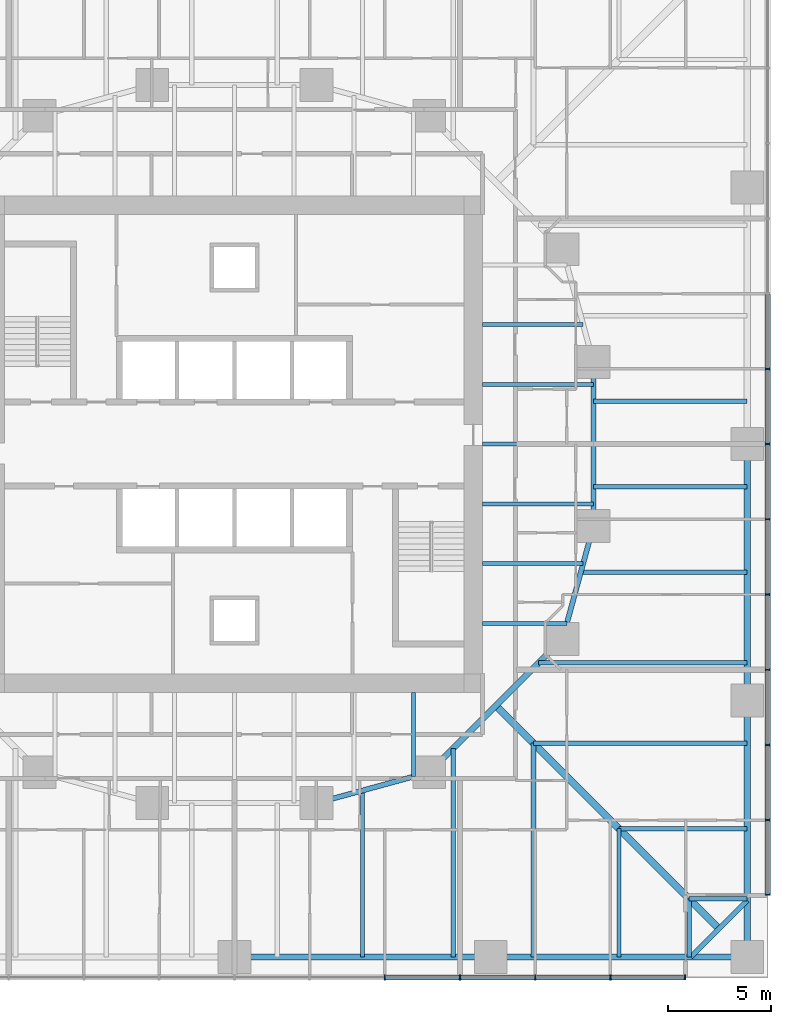
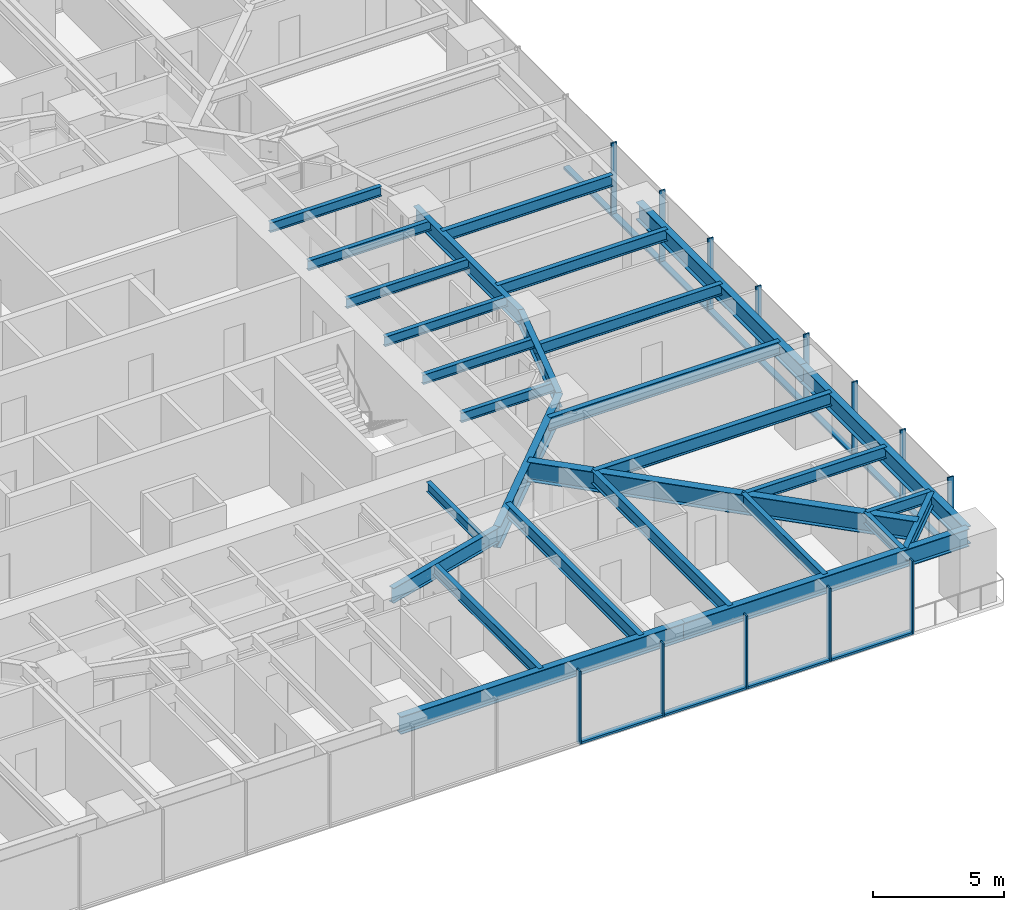
# One storey, part 4 of 18: 29 beams, 25 members, 2 elements without a shape of their own.
"""IFC4 building model written with IfcOpenShell, lengths in metres."""

import ifcopenshell
import ifcopenshell.guid

model = None  # the IFC model being written
_history = None  # IfcOwnerHistory: only IFC2X3 demands one
_inside = {}  # id of a spatial element -> (the spatial element, [elements in it])
_under = {}  # id of a project, library or spatial element -> (it, [spatial elements below it])
_declared = {}  # id of a project -> (the project, [libraries it declares])
_typed = {}  # id of a type object -> (the type object, [elements of that type])
_made_of = {}  # id of a material, layer set ... -> (it, [elements and type objects made of it])


def new_model(schema):
    """Start an empty IFC model of exactly this schema.

    Asked for "IFC4X3", IfcOpenShell would pick the latest addendum, in which some entities
    have other attributes; the version numbers below select the first issue.
    IFC2X3 requires an IfcOwnerHistory on every rooted entity: one is made here for all.
    """
    global model, _history
    if schema == "IFC4X3":
        model = ifcopenshell.file(schema_version=(4, 3, 0, 0))
    else:
        model = ifcopenshell.file(schema=schema)
    _inside.clear()
    _under.clear()
    _declared.clear()
    _typed.clear()
    _made_of.clear()
    _history = None
    if model.schema == "IFC2X3":
        org = make("IfcOrganization", Name="unknown")
        user = make(
            "IfcPersonAndOrganization",
            ThePerson=make("IfcPerson", FamilyName="unknown"),
            TheOrganization=org,
        )
        app = make(
            "IfcApplication",
            ApplicationDeveloper=org,
            Version="unknown",
            ApplicationFullName="unknown",
            ApplicationIdentifier="unknown",
        )
        _history = make(
            "IfcOwnerHistory",
            OwningUser=user,
            OwningApplication=app,
            ChangeAction="ADDED",
            CreationDate=0,
        )
    return model


def make(cls, **values):
    """One entity of the class cls with the attributes given. An attribute that is None is left unset."""
    return model.create_entity(
        cls, **{name: value for name, value in values.items() if value is not None}
    )


def rooted(cls, **values):
    """An entity with a GlobalId (a new one), such as an element, a storey or a relation."""
    return make(cls, GlobalId=ifcopenshell.guid.new(), OwnerHistory=_history, **values)


def si_unit(unit_type, name, prefix=None):
    """IfcSIUnit, for example si_unit("LENGTHUNIT", "METRE", prefix="MILLI")."""
    return make("IfcSIUnit", UnitType=unit_type, Prefix=prefix, Name=name)


def assignment(units):
    """IfcUnitAssignment: the units of a project."""
    return None if units is None else make("IfcUnitAssignment", Units=units)


def point(xyz):
    """IfcCartesianPoint."""
    return None if xyz is None else make("IfcCartesianPoint", Coordinates=xyz)


def direction(xyz):
    """IfcDirection."""
    return None if xyz is None else make("IfcDirection", DirectionRatios=xyz)


def frame(location, z_axis=None, x_axis=None):
    """IfcAxis2Placement3D, a coordinate frame: its origin and axes. An axis left out is left unset."""
    return make(
        "IfcAxis2Placement3D",
        Location=point(location),
        Axis=direction(z_axis),
        RefDirection=direction(x_axis),
    )


def frame_2d(location, x_axis=None):
    """IfcAxis2Placement2D, a coordinate frame in the plane: its origin and x axis."""
    return make(
        "IfcAxis2Placement2D", Location=point(location), RefDirection=direction(x_axis)
    )


def origin():
    """The frame at (0, 0, 0) with its axes left unset."""
    return frame((0.0, 0.0, 0.0))


def origin_2d():
    """The frame at (0, 0) in the plane with its x axis left unset."""
    return frame_2d((0.0, 0.0))


def place(relative_to, where):
    """IfcLocalPlacement: puts the frame where relative to a parent placement (None: the world)."""
    return make(
        "IfcLocalPlacement", PlacementRelTo=relative_to, RelativePlacement=where
    )


def context(
    kind, dimensions, precision=None, world=None, true_north=None, identifier=None
):
    """IfcGeometricRepresentationContext, for example the 3D "Model" context."""
    return make(
        "IfcGeometricRepresentationContext",
        ContextIdentifier=identifier,
        ContextType=kind,
        CoordinateSpaceDimension=dimensions,
        Precision=precision,
        WorldCoordinateSystem=world,
        TrueNorth=true_north,
    )


def subcontext(parent, identifier, kind, view, scale=None):
    """IfcGeometricRepresentationSubContext, for example "Body" below "Model"."""
    return make(
        "IfcGeometricRepresentationSubContext",
        ContextIdentifier=identifier,
        ContextType=kind,
        ParentContext=parent,
        TargetScale=scale,
        TargetView=view,
    )


def project(units=None, contexts=None):
    """IfcProject with its units and contexts."""
    return rooted(
        "IfcProject",
        Name="project",
        RepresentationContexts=contexts,
        UnitsInContext=assignment(units),
    )


def spatial(cls, under=None, at=None, **own):
    """A site, building, storey or space (cls), placed at a placement, below another one or the project."""
    s = rooted(cls, ObjectPlacement=at, **own)
    if under is not None:
        _under.setdefault(under.id(), (under, []))[1].append(s)
    return s


def profile(cls, at=None, kind="AREA", **sizes):
    """A parametric profile (cls). Its sizes go by their IFC names, for example OverallWidth=200.0."""
    return make(cls, ProfileType=kind, Position=at, **sizes)


def rectangle(**sizes):
    """IfcRectangleProfileDef."""
    return profile("IfcRectangleProfileDef", **sizes)


def i_section(**sizes):
    """IfcIShapeProfileDef."""
    return profile("IfcIShapeProfileDef", **sizes)


def extrude(swept, where, along, depth):
    """IfcExtrudedAreaSolid: the profile swept, set in the frame where, extruded along a direction by depth."""
    return make(
        "IfcExtrudedAreaSolid",
        SweptArea=swept,
        Position=where,
        ExtrudedDirection=direction(along),
        Depth=depth,
    )


def shape(context_of_items, identifier, shape_type, items):
    """IfcShapeRepresentation: the items that make up one representation, for example the "Body"."""
    return make(
        "IfcShapeRepresentation",
        ContextOfItems=context_of_items,
        RepresentationIdentifier=identifier,
        RepresentationType=shape_type,
        Items=items,
    )


def material(Name=None, Category=None):
    """IfcMaterial."""
    return make("IfcMaterial", Name=Name, Category=Category)


def material_profile(
    of_material, cross_section, Name=None, Category=None, Priority=None
):
    """IfcMaterialProfile: a cross section and its material."""
    return make(
        "IfcMaterialProfile",
        Name=Name,
        Material=of_material,
        Profile=cross_section,
        Priority=Priority,
        Category=Category,
    )


def profile_set(profiles, Name=None, composite=None):
    """IfcMaterialProfileSet."""
    return make(
        "IfcMaterialProfileSet",
        Name=Name,
        MaterialProfiles=profiles,
        CompositeProfile=composite,
    )


def made_of(thing, what):
    """Note that an element or type object is made of a material, layer set ...; save() writes the relation."""
    if what is not None:
        _made_of.setdefault(what.id(), (what, []))[1].append(thing)
    return thing


def type_object(cls, material=None, **own):
    """A type object (cls), such as IfcWallType, which elements share."""
    return made_of(rooted(cls, **own), material)


def element(
    cls,
    number,
    at=None,
    inside=None,
    cuts=None,
    type_object=None,
    material=None,
    context=None,
    identifier="Body",
    shape_type=None,
    held_by="IfcProductDefinitionShape",
    body=None,
    shapes=None,
    **own,
):
    """One element of the class cls, such as IfcWall. Its Tag is "e" and its number.

    at: its placement. inside: the storey or other place that contains it. cuts: it is an
    opening in that element (IfcRelVoidsElement). A single representation is given by context,
    identifier, shape_type and body (its items); several are given by shapes. held_by: the class
    of the entity that holds the representations. save() writes the other relations.
    """
    e = rooted(cls, Tag="e%d" % number, ObjectPlacement=at, **own)
    if body is not None:
        shapes = [shape(context, identifier, shape_type, body)]
    if shapes is not None:
        e.Representation = make(held_by, Representations=shapes)
    if inside is not None:
        _inside.setdefault(inside.id(), (inside, []))[1].append(e)
    if cuts is not None:
        rooted(
            "IfcRelVoidsElement", RelatingBuildingElement=cuts, RelatedOpeningElement=e
        )
    if type_object is not None:
        _typed.setdefault(type_object.id(), (type_object, []))[1].append(e)
    return made_of(e, material)


def aggregate(whole, parts):
    """IfcRelAggregates: a whole, such as a stair, and the parts it consists of."""
    return rooted("IfcRelAggregates", RelatingObject=whole, RelatedObjects=parts)


def save(model, path):
    """Write the relations noted so far, then the file.

    IfcRelAggregates (storeys below a building ...), IfcRelContainedInSpatialStructure (elements
    in a storey), IfcRelDefinesByType, IfcRelAssociatesMaterial and IfcRelDeclares: one each for
    every whole, place, type object, material and project.
    """
    for whole, parts in _under.values():
        aggregate(whole, parts)
    for where, things in _inside.values():
        rooted(
            "IfcRelContainedInSpatialStructure",
            RelatedElements=things,
            RelatingStructure=where,
        )
    for kind, things in _typed.values():
        rooted("IfcRelDefinesByType", RelatedObjects=things, RelatingType=kind)
    for what, things in _made_of.values():
        rooted("IfcRelAssociatesMaterial", RelatedObjects=things, RelatingMaterial=what)
    for by, libraries in _declared.values():
        rooted("IfcRelDeclares", RelatingContext=by, RelatedDefinitions=libraries)
    model.write(path)


model = new_model("IFC4")

# Units and contexts
model_context = context("Model", 3, precision=1e-05, world=origin(), true_north=direction((0.0, 1.0)))
body_context = subcontext(model_context, "Body", "Model", "MODEL_VIEW")
ifc_project = project(units=[si_unit("LENGTHUNIT", "METRE"), si_unit("AREAUNIT", "SQUARE_METRE"), si_unit("VOLUMEUNIT", "CUBIC_METRE"), si_unit("PLANEANGLEUNIT", "RADIAN"), si_unit("MASSUNIT", "GRAM", prefix="KILO")], contexts=[model_context])

# Site, building, storey
site_placement = place(None, origin())
site = spatial("IfcSite", under=ifc_project, at=site_placement, CompositionType="ELEMENT")
building_placement = place(site_placement, origin())
building = spatial("IfcBuilding", under=site, at=building_placement, Name="Torsade Residences", CompositionType="ELEMENT")
storey_placement = place(building_placement, frame((0.0, 0.0, 25.199951171875)))
storey = spatial("IfcBuildingStorey", under=building, at=storey_placement, Name="L06", CompositionType="ELEMENT", Elevation=25.199951171875)

# Beams
ifc_material_1 = material(Name="Steel grade 300", Category="steel")
ifc_material_profile_1 = material_profile(ifc_material_1, i_section(OverallWidth=0.35009765625, OverallDepth=0.909912109375, WebThickness=0.011962890625, FlangeThickness=0.02490234375, at=origin_2d()), Name="900WB218")
ifc_profile_set_1 = profile_set([ifc_material_profile_1], Name="Steel grade 300")
beam_type_1 = type_object("IfcBeamType", Name="CORNER GIRDER 900WB218", PredefinedType="BEAM", material=ifc_profile_set_1)
beam_1_placement = place(storey_placement, frame((63.625, 6.375, 2.795166015625), z_axis=(-0.707106781187, 0.707106781187, 0.0), x_axis=(-0.707106781187, -0.707106781187, 0.0)))
element("IfcBeam", 1, at=beam_1_placement, inside=storey, type_object=beam_type_1, Name="Corner girder 05 L07", PredefinedType="BEAM", context=body_context, shape_type="SweptSolid", body=[
    extrude(i_section(OverallWidth=0.35009765625, OverallDepth=0.909912109375, WebThickness=0.011962890625, FlangeThickness=0.02490234375, at=origin_2d()), origin(), (0.0, 0.0, 1.0), 15.379638671875),
])
ifc_material_2 = material(Name="Steel grade 300", Category="steel")
ifc_material_profile_2 = material_profile(ifc_material_2, i_section(OverallWidth=0.22802734375, OverallDepth=0.60205078125, WebThickness=0.010498046875, FlangeThickness=0.014892578125, FilletRadius=0.013916015625, at=origin_2d()), Name="610UB101")
ifc_profile_set_2 = profile_set([ifc_material_profile_2], Name="Steel grade 300")
beam_type_2 = type_object("IfcBeamType", Name="CORNER TRIMMER 610UB101", PredefinedType="BEAM", material=ifc_profile_set_2)
beam_2_placement = place(storey_placement, frame((65.0, 7.75, 2.948974609375), z_axis=(-0.707106781187, -0.707106781187, 0.0), x_axis=(0.707106781187, -0.707106781187, 0.0)))
element("IfcBeam", 2, at=beam_2_placement, inside=storey, type_object=beam_type_2, Name="Corner trimmer 05 L07", PredefinedType="BEAM", context=body_context, shape_type="SweptSolid", body=[
    extrude(i_section(OverallWidth=0.22802734375, OverallDepth=0.60205078125, WebThickness=0.010498046875, FlangeThickness=0.014892578125, FilletRadius=0.013916015625, at=origin_2d()), origin(), (0.0, 0.0, 1.0), 3.88916015625),
])

# Curtain wall, members
ifc_material_3 = material(Name="Aluminium and glass", Category="aluminium")
curtain_wall_type = type_object("IfcCurtainWallType", Name="FRITTED GLASS CURTAIN WALL LOW ZONE", PredefinedType="NOTDEFINED", material=ifc_material_3)
curtain_wall_1_placement = place(storey_placement, origin())
curtain_wall_1 = element("IfcCurtainWall", 3, at=curtain_wall_1_placement, inside=storey, type_object=curtain_wall_type, Name="Curtain wall L06 face 1", PredefinedType="NOTDEFINED")
ifc_material_4 = material(Name="Aluminium mullion", Category="aluminium")
ifc_material_profile_3 = material_profile(ifc_material_4, rectangle(XDim=0.25, YDim=0.06494140625, at=origin_2d()), Name="CURTAIN WALL MULLION 250x65")
ifc_profile_set_3 = profile_set([ifc_material_profile_3], Name="Aluminium mullion")
member_type_1 = type_object("IfcMemberType", Name="CURTAIN WALL MULLION 250x65", PredefinedType="MULLION", material=ifc_profile_set_3)
member_1_placement = place(storey_placement, frame((47.333251953125, 4.0, 0.0), z_axis=(0.0, 0.0, 1.0), x_axis=(0.0, 1.0, 0.0)))
member_1 = element("IfcMember", 4, at=member_1_placement, type_object=member_type_1, Name="Mullion 9", PredefinedType="MULLION", context=body_context, shape_type="SweptSolid", body=[
    extrude(rectangle(XDim=0.25, YDim=0.06494140625, at=origin_2d()), origin(), (0.0, 0.0, 1.0), 3.400146484375),
])
member_2_placement = place(storey_placement, frame((51.0, 4.0, 0.0), z_axis=(0.0, 0.0, 1.0), x_axis=(0.0, 1.0, 0.0)))
member_2 = element("IfcMember", 5, at=member_2_placement, type_object=member_type_1, Name="Mullion 10", PredefinedType="MULLION", context=body_context, shape_type="SweptSolid", body=[
    extrude(rectangle(XDim=0.25, YDim=0.06494140625, at=origin_2d()), origin(), (0.0, 0.0, 1.0), 3.400146484375),
])
member_3_placement = place(storey_placement, frame((54.666748046875, 4.0, 0.0), z_axis=(0.0, 0.0, 1.0), x_axis=(0.0, 1.0, 0.0)))
member_3 = element("IfcMember", 6, at=member_3_placement, type_object=member_type_1, Name="Mullion 11", PredefinedType="MULLION", context=body_context, shape_type="SweptSolid", body=[
    extrude(rectangle(XDim=0.25, YDim=0.06494140625, at=origin_2d()), origin(), (0.0, 0.0, 1.0), 3.400146484375),
])
member_4_placement = place(storey_placement, frame((58.333251953125, 4.0, 0.0), z_axis=(0.0, 0.0, 1.0), x_axis=(0.0, 1.0, 0.0)))
member_4 = element("IfcMember", 7, at=member_4_placement, type_object=member_type_1, Name="Mullion 12", PredefinedType="MULLION", context=body_context, shape_type="SweptSolid", body=[
    extrude(rectangle(XDim=0.25, YDim=0.06494140625, at=origin_2d()), origin(), (0.0, 0.0, 1.0), 3.400146484375),
])
member_5_placement = place(storey_placement, frame((61.967529296875, 4.0, 0.0), z_axis=(0.0, 0.0, 1.0), x_axis=(0.0, 1.0, 0.0)))
member_5 = element("IfcMember", 8, at=member_5_placement, type_object=member_type_1, Name="Mullion 13", PredefinedType="MULLION", context=body_context, shape_type="SweptSolid", body=[
    extrude(rectangle(XDim=0.25, YDim=0.06494140625, at=origin_2d()), origin(), (0.0, 0.0, 1.0), 3.400146484375),
])

curtain_wall_2_placement = place(storey_placement, origin())
curtain_wall_2 = element("IfcCurtainWall", 9, at=curtain_wall_2_placement, inside=storey, type_object=curtain_wall_type, Name="Curtain wall L06 face 4", PredefinedType="NOTDEFINED")
member_6_placement = place(storey_placement, frame((66.0, 8.032470703125, 0.0), z_axis=(0.0, 0.0, 1.0), x_axis=(-1.0, 0.0, 0.0)))
member_6 = element("IfcMember", 10, at=member_6_placement, type_object=member_type_1, Name="Mullion 1", PredefinedType="MULLION", context=body_context, shape_type="SweptSolid", body=[
    extrude(rectangle(XDim=0.25, YDim=0.06494140625, at=origin_2d()), origin(), (0.0, 0.0, 1.0), 3.400146484375),
])
member_7_placement = place(storey_placement, frame((66.0, 11.666748046875, 0.0), z_axis=(0.0, 0.0, 1.0), x_axis=(-1.0, 0.0, 0.0)))
member_7 = element("IfcMember", 11, at=member_7_placement, type_object=member_type_1, Name="Mullion 2", PredefinedType="MULLION", context=body_context, shape_type="SweptSolid", body=[
    extrude(rectangle(XDim=0.25, YDim=0.06494140625, at=origin_2d()), origin(), (0.0, 0.0, 1.0), 3.400146484375),
])
member_8_placement = place(storey_placement, frame((66.0, 15.333251953125, 0.0), z_axis=(0.0, 0.0, 1.0), x_axis=(-1.0, 0.0, 0.0)))
member_8 = element("IfcMember", 12, at=member_8_placement, type_object=member_type_1, Name="Mullion 3", PredefinedType="MULLION", context=body_context, shape_type="SweptSolid", body=[
    extrude(rectangle(XDim=0.25, YDim=0.06494140625, at=origin_2d()), origin(), (0.0, 0.0, 1.0), 3.400146484375),
])
member_9_placement = place(storey_placement, frame((66.0, 19.0, 0.0), z_axis=(0.0, 0.0, 1.0), x_axis=(-1.0, 0.0, 0.0)))
member_9 = element("IfcMember", 13, at=member_9_placement, type_object=member_type_1, Name="Mullion 4", PredefinedType="MULLION", context=body_context, shape_type="SweptSolid", body=[
    extrude(rectangle(XDim=0.25, YDim=0.06494140625, at=origin_2d()), origin(), (0.0, 0.0, 1.0), 3.400146484375),
])
member_10_placement = place(storey_placement, frame((66.0, 22.666748046875, 0.0), z_axis=(0.0, 0.0, 1.0), x_axis=(-1.0, 0.0, 0.0)))
member_10 = element("IfcMember", 14, at=member_10_placement, type_object=member_type_1, Name="Mullion 5", PredefinedType="MULLION", context=body_context, shape_type="SweptSolid", body=[
    extrude(rectangle(XDim=0.25, YDim=0.06494140625, at=origin_2d()), origin(), (0.0, 0.0, 1.0), 3.400146484375),
])
member_11_placement = place(storey_placement, frame((66.0, 26.333251953125, 0.0), z_axis=(0.0, 0.0, 1.0), x_axis=(-1.0, 0.0, 0.0)))
member_11 = element("IfcMember", 15, at=member_11_placement, type_object=member_type_1, Name="Mullion 6", PredefinedType="MULLION", context=body_context, shape_type="SweptSolid", body=[
    extrude(rectangle(XDim=0.25, YDim=0.06494140625, at=origin_2d()), origin(), (0.0, 0.0, 1.0), 3.400146484375),
])
member_12_placement = place(storey_placement, frame((66.0, 30.0, 0.0), z_axis=(0.0, 0.0, 1.0), x_axis=(-1.0, 0.0, 0.0)))
member_12 = element("IfcMember", 16, at=member_12_placement, type_object=member_type_1, Name="Mullion 7", PredefinedType="MULLION", context=body_context, shape_type="SweptSolid", body=[
    extrude(rectangle(XDim=0.25, YDim=0.06494140625, at=origin_2d()), origin(), (0.0, 0.0, 1.0), 3.400146484375),
])
member_13_placement = place(storey_placement, frame((66.0, 33.666748046875, 0.0), z_axis=(0.0, 0.0, 1.0), x_axis=(-1.0, 0.0, 0.0)))
member_13 = element("IfcMember", 17, at=member_13_placement, type_object=member_type_1, Name="Mullion 8", PredefinedType="MULLION", context=body_context, shape_type="SweptSolid", body=[
    extrude(rectangle(XDim=0.25, YDim=0.06494140625, at=origin_2d()), origin(), (0.0, 0.0, 1.0), 3.400146484375),
])

# Member
ifc_material_5 = material(Name="Aluminium transom", Category="aluminium")
ifc_material_profile_4 = material_profile(ifc_material_5, rectangle(XDim=0.25, YDim=0.10009765625, at=origin_2d()), Name="CURTAIN WALL TRANSOM 250x100")
ifc_profile_set_4 = profile_set([ifc_material_profile_4], Name="Aluminium transom")
member_type_2 = type_object("IfcMemberType", Name="CURTAIN WALL TRANSOM 250x100", PredefinedType="USERDEFINED", material=ifc_profile_set_4)
member_14_placement = place(storey_placement, frame((47.36572265625, 4.0, 0.050048828125), z_axis=(1.0, 0.0, 0.0), x_axis=(0.0, 1.0, 0.0)))
member_14 = element("IfcMember", 18, at=member_14_placement, type_object=member_type_2, Name="Transom 9.1", ObjectType="TRANSOM", PredefinedType="USERDEFINED", context=body_context, shape_type="SweptSolid", body=[
    extrude(rectangle(XDim=0.25, YDim=0.10009765625, at=origin_2d()), origin(), (0.0, 0.0, 1.0), 3.601806640625),
])

member_15_placement = place(storey_placement, frame((51.032470703125, 4.0, 0.050048828125), z_axis=(1.0, 0.0, 0.0), x_axis=(0.0, 1.0, 0.0)))
member_15 = element("IfcMember", 19, at=member_15_placement, type_object=member_type_2, Name="Transom 10.1", ObjectType="TRANSOM", PredefinedType="USERDEFINED", context=body_context, shape_type="SweptSolid", body=[
    extrude(rectangle(XDim=0.25, YDim=0.10009765625, at=origin_2d()), origin(), (0.0, 0.0, 1.0), 3.601806640625),
])

member_16_placement = place(storey_placement, frame((54.69921875, 4.0, 0.050048828125), z_axis=(1.0, 0.0, 0.0), x_axis=(0.0, 1.0, 0.0)))
member_16 = element("IfcMember", 20, at=member_16_placement, type_object=member_type_2, Name="Transom 11.1", ObjectType="TRANSOM", PredefinedType="USERDEFINED", context=body_context, shape_type="SweptSolid", body=[
    extrude(rectangle(XDim=0.25, YDim=0.10009765625, at=origin_2d()), origin(), (0.0, 0.0, 1.0), 3.6015625),
])

member_17_placement = place(storey_placement, frame((58.36572265625, 4.0, 0.050048828125), z_axis=(1.0, 0.0, 0.0), x_axis=(0.0, 1.0, 0.0)))
member_17 = element("IfcMember", 21, at=member_17_placement, type_object=member_type_2, Name="Transom 12.1", ObjectType="TRANSOM", PredefinedType="USERDEFINED", context=body_context, shape_type="SweptSolid", body=[
    extrude(rectangle(XDim=0.25, YDim=0.10009765625, at=origin_2d()), origin(), (0.0, 0.0, 1.0), 3.5693359375),
])

aggregate(curtain_wall_1, [member_1, member_2, member_3, member_4, member_5, member_14, member_15, member_16, member_17])

member_18_placement = place(storey_placement, frame((66.0, 8.06494140625, 0.050048828125), z_axis=(0.0, 1.0, 0.0), x_axis=(-1.0, 0.0, 0.0)))
member_18 = element("IfcMember", 22, at=member_18_placement, type_object=member_type_2, Name="Transom 1.1", ObjectType="TRANSOM", PredefinedType="USERDEFINED", context=body_context, shape_type="SweptSolid", body=[
    extrude(rectangle(XDim=0.25, YDim=0.10009765625, at=origin_2d()), origin(), (0.0, 0.0, 1.0), 3.5693359375),
])

member_19_placement = place(storey_placement, frame((66.0, 11.69921875, 0.050048828125), z_axis=(0.0, 1.0, 0.0), x_axis=(-1.0, 0.0, 0.0)))
member_19 = element("IfcMember", 23, at=member_19_placement, type_object=member_type_2, Name="Transom 2.1", ObjectType="TRANSOM", PredefinedType="USERDEFINED", context=body_context, shape_type="SweptSolid", body=[
    extrude(rectangle(XDim=0.25, YDim=0.10009765625, at=origin_2d()), origin(), (0.0, 0.0, 1.0), 3.6015625),
])

member_20_placement = place(storey_placement, frame((66.0, 15.36572265625, 0.050048828125), z_axis=(0.0, 1.0, 0.0), x_axis=(-1.0, 0.0, 0.0)))
member_20 = element("IfcMember", 24, at=member_20_placement, type_object=member_type_2, Name="Transom 3.1", ObjectType="TRANSOM", PredefinedType="USERDEFINED", context=body_context, shape_type="SweptSolid", body=[
    extrude(rectangle(XDim=0.25, YDim=0.10009765625, at=origin_2d()), origin(), (0.0, 0.0, 1.0), 3.601806640625),
])

member_21_placement = place(storey_placement, frame((66.0, 19.032470703125, 0.050048828125), z_axis=(0.0, 1.0, 0.0), x_axis=(-1.0, 0.0, 0.0)))
member_21 = element("IfcMember", 25, at=member_21_placement, type_object=member_type_2, Name="Transom 4.1", ObjectType="TRANSOM", PredefinedType="USERDEFINED", context=body_context, shape_type="SweptSolid", body=[
    extrude(rectangle(XDim=0.25, YDim=0.10009765625, at=origin_2d()), origin(), (0.0, 0.0, 1.0), 3.601806640625),
])

member_22_placement = place(storey_placement, frame((66.0, 22.69921875, 0.050048828125), z_axis=(0.0, 1.0, 0.0), x_axis=(-1.0, 0.0, 0.0)))
member_22 = element("IfcMember", 26, at=member_22_placement, type_object=member_type_2, Name="Transom 5.1", ObjectType="TRANSOM", PredefinedType="USERDEFINED", context=body_context, shape_type="SweptSolid", body=[
    extrude(rectangle(XDim=0.25, YDim=0.10009765625, at=origin_2d()), origin(), (0.0, 0.0, 1.0), 3.6015625),
])

member_23_placement = place(storey_placement, frame((66.0, 26.36572265625, 0.050048828125), z_axis=(0.0, 1.0, 0.0), x_axis=(-1.0, 0.0, 0.0)))
member_23 = element("IfcMember", 27, at=member_23_placement, type_object=member_type_2, Name="Transom 6.1", ObjectType="TRANSOM", PredefinedType="USERDEFINED", context=body_context, shape_type="SweptSolid", body=[
    extrude(rectangle(XDim=0.25, YDim=0.10009765625, at=origin_2d()), origin(), (0.0, 0.0, 1.0), 3.601806640625),
])

member_24_placement = place(storey_placement, frame((66.0, 30.032470703125, 0.050048828125), z_axis=(0.0, 1.0, 0.0), x_axis=(-1.0, 0.0, 0.0)))
member_24 = element("IfcMember", 28, at=member_24_placement, type_object=member_type_2, Name="Transom 7.1", ObjectType="TRANSOM", PredefinedType="USERDEFINED", context=body_context, shape_type="SweptSolid", body=[
    extrude(rectangle(XDim=0.25, YDim=0.10009765625, at=origin_2d()), origin(), (0.0, 0.0, 1.0), 3.601806640625),
])

member_25_placement = place(storey_placement, frame((66.0, 33.69921875, 0.050048828125), z_axis=(0.0, 1.0, 0.0), x_axis=(-1.0, 0.0, 0.0)))
member_25 = element("IfcMember", 29, at=member_25_placement, type_object=member_type_2, Name="Transom 8.1", ObjectType="TRANSOM", PredefinedType="USERDEFINED", context=body_context, shape_type="SweptSolid", body=[
    extrude(rectangle(XDim=0.25, YDim=0.10009765625, at=origin_2d()), origin(), (0.0, 0.0, 1.0), 3.6015625),
])

aggregate(curtain_wall_2, [member_6, member_7, member_8, member_9, member_10, member_11, member_12, member_13, member_18, member_19, member_20, member_21, member_22, member_23, member_24, member_25])

# Beams
ifc_material_6 = material(Name="Steel grade 300", Category="steel")
ifc_material_profile_5 = material_profile(ifc_material_6, i_section(OverallWidth=0.300048828125, OverallDepth=0.81591796875, WebThickness=0.010009765625, FlangeThickness=0.028076171875, at=origin_2d()), Name="800WB192")
ifc_profile_set_5 = profile_set([ifc_material_profile_5], Name="Steel grade 300")
beam_type_3 = type_object("IfcBeamType", Name="EDGE BEAM 800WB192", PredefinedType="SPANDREL", material=ifc_profile_set_5)
for number, where, z_axis, x_axis, name in (
    (30, (40.0, 5.0, 2.842041015625), (1.0, 0.0, 0.0), (0.0, 1.0, 0.0), "Edge beam 03 L07"),
    (31, (52.5, 5.0, 2.842041015625), (1.0, 0.0, 0.0), (0.0, 1.0, 0.0), "Edge beam 04 L07"),
    (32, (65.0, 5.0, 2.842041015625), (0.0, 1.0, 0.0), (-1.0, 0.0, 0.0), "Edge beam 05 L07"),
    (33, (65.0, 17.5, 2.842041015625), (0.0, 1.0, 0.0), (-1.0, 0.0, 0.0), "Edge beam 06 L07"),
):
    element("IfcBeam", number, at=place(storey_placement, frame(where, z_axis=z_axis, x_axis=x_axis)), inside=storey, type_object=beam_type_3, Name=name, PredefinedType="SPANDREL", context=body_context, shape_type="SweptSolid", body=[
        extrude(i_section(OverallWidth=0.300048828125, OverallDepth=0.81591796875, WebThickness=0.010009765625, FlangeThickness=0.028076171875, at=origin_2d()), origin(), (0.0, 0.0, 1.0), 12.5),
    ])
ifc_material_7 = material(Name="Steel grade 300", Category="steel")
ifc_material_profile_6 = material_profile(ifc_material_7, i_section(OverallWidth=0.18994140625, OverallDepth=0.4541015625, WebThickness=0.008544921875, FlangeThickness=0.0126953125, FilletRadius=0.011474609375, at=origin_2d()), Name="460UB67.1")
ifc_profile_set_6 = profile_set([ifc_material_profile_6], Name="Steel grade 300")
beam_type_4 = type_object("IfcBeamType", Name="INNER FLOOR BEAM 460UB67.1", PredefinedType="JOIST", material=ifc_profile_set_6)
for number, where, z_axis, x_axis, name in (
    (34, (48.737548828125, 17.89990234375, 3.02294921875), (0.0, -1.0, 0.0), (1.0, 0.0, 0.0), "Inner floor beam IS01 L07"),
    (35, (52.10009765625, 21.262451171875, 3.02294921875), (1.0, 0.0, 0.0), (0.0, 1.0, 0.0), "Inner floor beam IE01 L07"),
):
    element("IfcBeam", number, at=place(storey_placement, frame(where, z_axis=z_axis, x_axis=x_axis)), inside=storey, type_object=beam_type_4, Name=name, PredefinedType="JOIST", context=body_context, shape_type="SweptSolid", body=[
        extrude(i_section(OverallWidth=0.18994140625, OverallDepth=0.4541015625, WebThickness=0.008544921875, FlangeThickness=0.0126953125, FilletRadius=0.011474609375, at=origin_2d()), origin(), (0.0, 0.0, 1.0), 4.10791015625),
    ])
beam_3_placement = place(storey_placement, frame((52.10009765625, 24.175048828125, 3.02294921875), z_axis=(1.0, 0.0, 0.0), x_axis=(0.0, 1.0, 0.0)))
element("IfcBeam", 36, at=beam_3_placement, inside=storey, type_object=beam_type_4, Name="Inner floor beam IE02 L07", PredefinedType="JOIST", context=body_context, shape_type="SweptSolid", body=[
    extrude(i_section(OverallWidth=0.18994140625, OverallDepth=0.4541015625, WebThickness=0.008544921875, FlangeThickness=0.0126953125, FilletRadius=0.011474609375, at=origin_2d()), origin(), (0.0, 0.0, 1.0), 4.902099609375),
])
for number, where, z_axis, x_axis, name in (
    (37, (52.10009765625, 27.08740234375, 3.02294921875), (1.0, 0.0, 0.0), (0.0, 1.0, 0.0), "Inner floor beam IE03 L07"),
    (38, (52.10009765625, 30.0, 3.02294921875), (1.0, 0.0, 0.0), (0.0, 1.0, 0.0), "Inner floor beam IE04 L07"),
    (39, (52.10009765625, 32.91259765625, 3.02294921875), (1.0, 0.0, 0.0), (0.0, 1.0, 0.0), "Inner floor beam IE05 L07"),
):
    element("IfcBeam", number, at=place(storey_placement, frame(where, z_axis=z_axis, x_axis=x_axis)), inside=storey, type_object=beam_type_4, Name=name, PredefinedType="JOIST", context=body_context, shape_type="SweptSolid", body=[
        extrude(i_section(OverallWidth=0.18994140625, OverallDepth=0.4541015625, WebThickness=0.008544921875, FlangeThickness=0.0126953125, FilletRadius=0.011474609375, at=origin_2d()), origin(), (0.0, 0.0, 1.0), 5.39990234375),
    ])
beam_4_placement = place(storey_placement, frame((52.10009765625, 35.824951171875, 3.02294921875), z_axis=(1.0, 0.0, 0.0), x_axis=(0.0, 1.0, 0.0)))
element("IfcBeam", 40, at=beam_4_placement, inside=storey, type_object=beam_type_4, Name="Inner floor beam IE06 L07", PredefinedType="JOIST", context=body_context, shape_type="SweptSolid", body=[
    extrude(i_section(OverallWidth=0.18994140625, OverallDepth=0.4541015625, WebThickness=0.008544921875, FlangeThickness=0.0126953125, FilletRadius=0.011474609375, at=origin_2d()), origin(), (0.0, 0.0, 1.0), 4.902099609375),
])
ifc_material_8 = material(Name="Steel grade 300", Category="steel")
ifc_material_profile_7 = material_profile(ifc_material_8, i_section(OverallWidth=0.300048828125, OverallDepth=1.0, WebThickness=0.01611328125, FlangeThickness=0.028076171875, at=origin_2d()), Name="1000WB215")
ifc_profile_set_7 = profile_set([ifc_material_profile_7], Name="Steel grade 300")
beam_type_5 = type_object("IfcBeamType", Name="RING CORNER GIRDER 1000WB215", PredefinedType="BEAM", material=ifc_profile_set_7)
beam_5_placement = place(storey_placement, frame((49.5, 14.0, 2.75), z_axis=(0.707106781187, 0.707106781187, 0.0), x_axis=(-0.707106781187, 0.707106781187, 0.0)))
element("IfcBeam", 41, at=beam_5_placement, inside=storey, type_object=beam_type_5, Name="Ring girder IR15 L07", PredefinedType="BEAM", context=body_context, shape_type="SweptSolid", body=[
    extrude(i_section(OverallWidth=0.300048828125, OverallDepth=1.0, WebThickness=0.01611328125, FlangeThickness=0.028076171875, at=origin_2d()), origin(), (0.0, 0.0, 1.0), 9.1923828125),
])
ifc_material_9 = material(Name="Steel grade 300", Category="steel")
ifc_material_profile_8 = material_profile(ifc_material_9, i_section(OverallWidth=0.25, OverallDepth=0.699951171875, WebThickness=0.010009765625, FlangeThickness=0.02001953125, at=origin_2d()), Name="700WB130")
ifc_profile_set_8 = profile_set([ifc_material_profile_8], Name="Steel grade 300")
beam_type_6 = type_object("IfcBeamType", Name="RING GIRDER 700WB130", PredefinedType="BEAM", material=ifc_profile_set_8)
beam_6_placement = place(storey_placement, frame((57.5, 26.0, 2.900146484375), z_axis=(0.0, 1.0, 0.0), x_axis=(-1.0, 0.0, 0.0)))
element("IfcBeam", 42, at=beam_6_placement, inside=storey, type_object=beam_type_6, Name="Ring girder IR01 L07", PredefinedType="BEAM", context=body_context, shape_type="SweptSolid", body=[
    extrude(i_section(OverallWidth=0.25, OverallDepth=0.699951171875, WebThickness=0.010009765625, FlangeThickness=0.02001953125, at=origin_2d()), origin(), (0.0, 0.0, 1.0), 8.0),
])
for number, where, z_axis, x_axis, name in (
    (43, (44.0, 12.5, 2.900146484375), (0.964763821238, 0.263117405792, 0.0), (-0.263117405792, 0.964763821238, 0.0), "Ring girder IR14 L07"),
    (44, (56.0, 20.5, 2.900146484375), (0.263117405792, 0.964763821238, 0.0), (-0.964763821238, 0.263117405792, 0.0), "Ring girder IR16 L07"),
):
    element("IfcBeam", number, at=place(storey_placement, frame(where, z_axis=z_axis, x_axis=x_axis)), inside=storey, type_object=beam_type_6, Name=name, PredefinedType="BEAM", context=body_context, shape_type="SweptSolid", body=[
        extrude(i_section(OverallWidth=0.25, OverallDepth=0.699951171875, WebThickness=0.010009765625, FlangeThickness=0.02001953125, at=origin_2d()), origin(), (0.0, 0.0, 1.0), 5.700927734375),
    ])
ifc_material_10 = material(Name="Steel grade 300", Category="steel")
ifc_material_profile_9 = material_profile(ifc_material_10, i_section(OverallWidth=0.208984375, OverallDepth=0.528076171875, WebThickness=0.009521484375, FlangeThickness=0.01318359375, FilletRadius=0.013916015625, at=origin_2d()), Name="530UB82.0")
ifc_profile_set_9 = profile_set([ifc_material_profile_9], Name="Steel grade 300")
beam_type_7 = type_object("IfcBeamType", Name="SECONDARY BEAM 530UB82.0", PredefinedType="JOIST", material=ifc_profile_set_9)
beam_7_placement = place(storey_placement, frame((46.25, 5.0, 2.986083984375), z_axis=(0.0, 1.0, 0.0), x_axis=(-1.0, 0.0, 0.0)))
element("IfcBeam", 45, at=beam_7_placement, inside=storey, type_object=beam_type_7, Name="Floor beam FS08 L07", PredefinedType="JOIST", context=body_context, shape_type="SweptSolid", body=[
    extrude(i_section(OverallWidth=0.208984375, OverallDepth=0.528076171875, WebThickness=0.009521484375, FlangeThickness=0.01318359375, FilletRadius=0.013916015625, at=origin_2d()), origin(), (0.0, 0.0, 1.0), 8.113525390625),
])
beam_8_placement = place(storey_placement, frame((58.75, 5.0, 2.986083984375), z_axis=(0.0, 1.0, 0.0), x_axis=(-1.0, 0.0, 0.0)))
element("IfcBeam", 46, at=beam_8_placement, inside=storey, type_object=beam_type_7, Name="Floor beam FS11 L07", PredefinedType="JOIST", context=body_context, shape_type="SweptSolid", body=[
    extrude(i_section(OverallWidth=0.208984375, OverallDepth=0.528076171875, WebThickness=0.009521484375, FlangeThickness=0.01318359375, FilletRadius=0.013916015625, at=origin_2d()), origin(), (0.0, 0.0, 1.0), 6.25),
])
for number, where, z_axis, x_axis, name in (
    (47, (62.166748046875, 5.0, 2.986083984375), (0.0, 1.0, 0.0), (-1.0, 0.0, 0.0), "Floor beam FS12 L07"),
    (48, (65.0, 7.833251953125, 2.986083984375), (-1.0, 0.0, 0.0), (0.0, -1.0, 0.0), "Floor beam FE01 L07"),
):
    element("IfcBeam", number, at=place(storey_placement, frame(where, z_axis=z_axis, x_axis=x_axis)), inside=storey, type_object=beam_type_7, Name=name, PredefinedType="JOIST", context=body_context, shape_type="SweptSolid", body=[
        extrude(i_section(OverallWidth=0.208984375, OverallDepth=0.528076171875, WebThickness=0.009521484375, FlangeThickness=0.01318359375, FilletRadius=0.013916015625, at=origin_2d()), origin(), (0.0, 0.0, 1.0), 2.833251953125),
    ])
beam_9_placement = place(storey_placement, frame((65.0, 11.25, 2.986083984375), z_axis=(-1.0, 0.0, 0.0), x_axis=(0.0, -1.0, 0.0)))
element("IfcBeam", 49, at=beam_9_placement, inside=storey, type_object=beam_type_7, Name="Floor beam FE02 L07", PredefinedType="JOIST", context=body_context, shape_type="SweptSolid", body=[
    extrude(i_section(OverallWidth=0.208984375, OverallDepth=0.528076171875, WebThickness=0.009521484375, FlangeThickness=0.01318359375, FilletRadius=0.013916015625, at=origin_2d()), origin(), (0.0, 0.0, 1.0), 6.25),
])
beam_10_placement = place(storey_placement, frame((65.0, 23.75, 2.986083984375), z_axis=(-1.0, 0.0, 0.0), x_axis=(0.0, -1.0, 0.0)))
element("IfcBeam", 50, at=beam_10_placement, inside=storey, type_object=beam_type_7, Name="Floor beam FE05 L07", PredefinedType="JOIST", context=body_context, shape_type="SweptSolid", body=[
    extrude(i_section(OverallWidth=0.208984375, OverallDepth=0.528076171875, WebThickness=0.009521484375, FlangeThickness=0.01318359375, FilletRadius=0.013916015625, at=origin_2d()), origin(), (0.0, 0.0, 1.0), 8.113525390625),
])
for number, where, z_axis, x_axis, name in (
    (51, (65.0, 27.916748046875, 2.986083984375), (-1.0, 0.0, 0.0), (0.0, -1.0, 0.0), "Floor beam FE06 L07"),
    (52, (65.0, 32.083251953125, 2.986083984375), (-1.0, 0.0, 0.0), (0.0, -1.0, 0.0), "Floor beam FE07 L07"),
):
    element("IfcBeam", number, at=place(storey_placement, frame(where, z_axis=z_axis, x_axis=x_axis)), inside=storey, type_object=beam_type_7, Name=name, PredefinedType="JOIST", context=body_context, shape_type="SweptSolid", body=[
        extrude(i_section(OverallWidth=0.208984375, OverallDepth=0.528076171875, WebThickness=0.009521484375, FlangeThickness=0.01318359375, FilletRadius=0.013916015625, at=origin_2d()), origin(), (0.0, 0.0, 1.0), 7.5),
    ])
ifc_material_11 = material(Name="Steel grade 300", Category="steel")
ifc_material_profile_10 = material_profile(ifc_material_11, i_section(OverallWidth=0.22900390625, OverallDepth=0.612060546875, WebThickness=0.011962890625, FlangeThickness=0.01953125, FilletRadius=0.013916015625, at=origin_2d()), Name="610UB125")
ifc_profile_set_10 = profile_set([ifc_material_profile_10], Name="Steel grade 300")
beam_type_8 = type_object("IfcBeamType", Name="SECONDARY BEAM 610UB125", PredefinedType="JOIST", material=ifc_profile_set_10)
beam_11_placement = place(storey_placement, frame((50.666748046875, 5.0, 2.944091796875), z_axis=(0.0, 1.0, 0.0), x_axis=(-1.0, 0.0, 0.0)))
element("IfcBeam", 53, at=beam_11_placement, inside=storey, type_object=beam_type_8, Name="Floor beam FS09 L07", PredefinedType="JOIST", context=body_context, shape_type="SweptSolid", body=[
    extrude(i_section(OverallWidth=0.22900390625, OverallDepth=0.612060546875, WebThickness=0.011962890625, FlangeThickness=0.01953125, FilletRadius=0.013916015625, at=origin_2d()), origin(), (0.0, 0.0, 1.0), 10.166748046875),
])
for number, where, z_axis, x_axis, name in (
    (54, (54.583251953125, 5.0, 2.944091796875), (0.0, 1.0, 0.0), (-1.0, 0.0, 0.0), "Floor beam FS10 L07"),
    (55, (65.0, 15.416748046875, 2.944091796875), (-1.0, 0.0, 0.0), (0.0, -1.0, 0.0), "Floor beam FE03 L07"),
):
    element("IfcBeam", number, at=place(storey_placement, frame(where, z_axis=z_axis, x_axis=x_axis)), inside=storey, type_object=beam_type_8, Name=name, PredefinedType="JOIST", context=body_context, shape_type="SweptSolid", body=[
        extrude(i_section(OverallWidth=0.22900390625, OverallDepth=0.612060546875, WebThickness=0.011962890625, FlangeThickness=0.01953125, FilletRadius=0.013916015625, at=origin_2d()), origin(), (0.0, 0.0, 1.0), 10.416748046875),
    ])
beam_12_placement = place(storey_placement, frame((65.0, 19.333251953125, 2.944091796875), z_axis=(-1.0, 0.0, 0.0), x_axis=(0.0, -1.0, 0.0)))
element("IfcBeam", 56, at=beam_12_placement, inside=storey, type_object=beam_type_8, Name="Floor beam FE04 L07", PredefinedType="JOIST", context=body_context, shape_type="SweptSolid", body=[
    extrude(i_section(OverallWidth=0.22900390625, OverallDepth=0.612060546875, WebThickness=0.011962890625, FlangeThickness=0.01953125, FilletRadius=0.013916015625, at=origin_2d()), origin(), (0.0, 0.0, 1.0), 10.166748046875),
])

save(model, "model.ifc")
